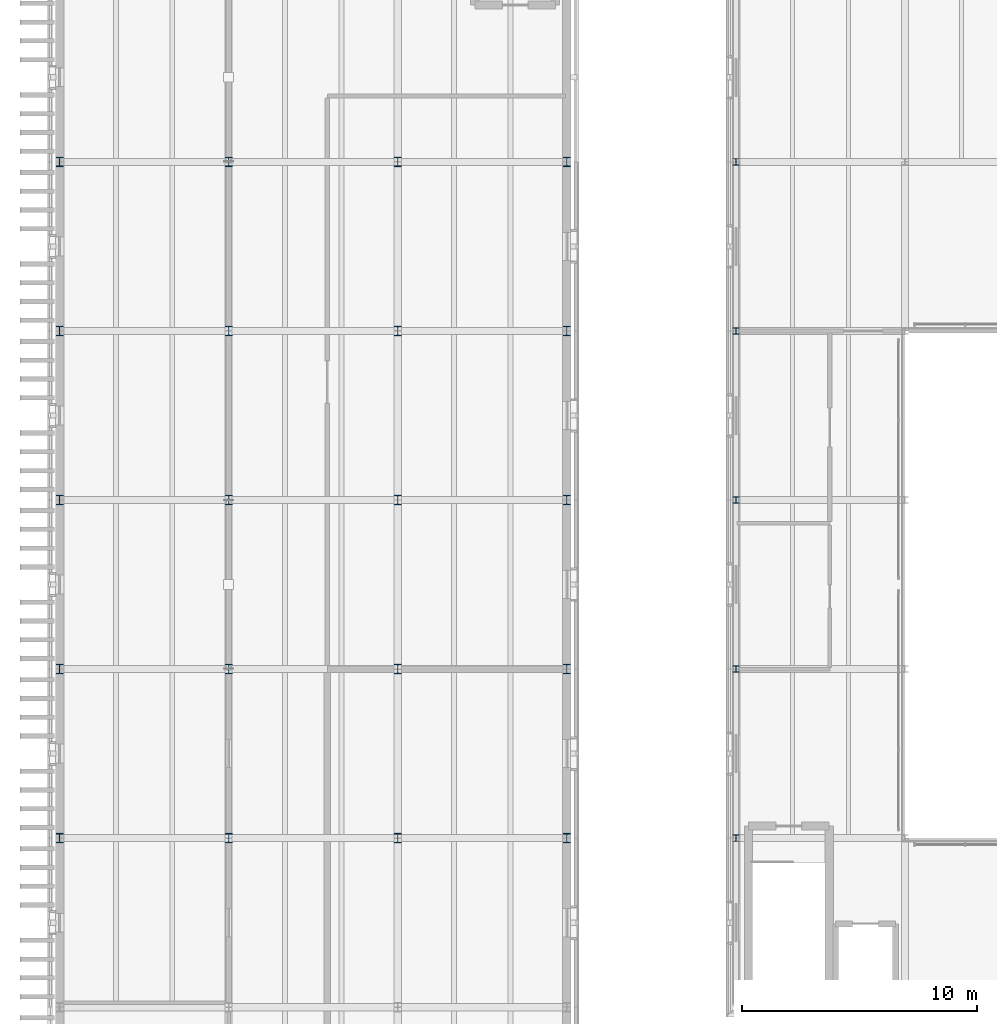
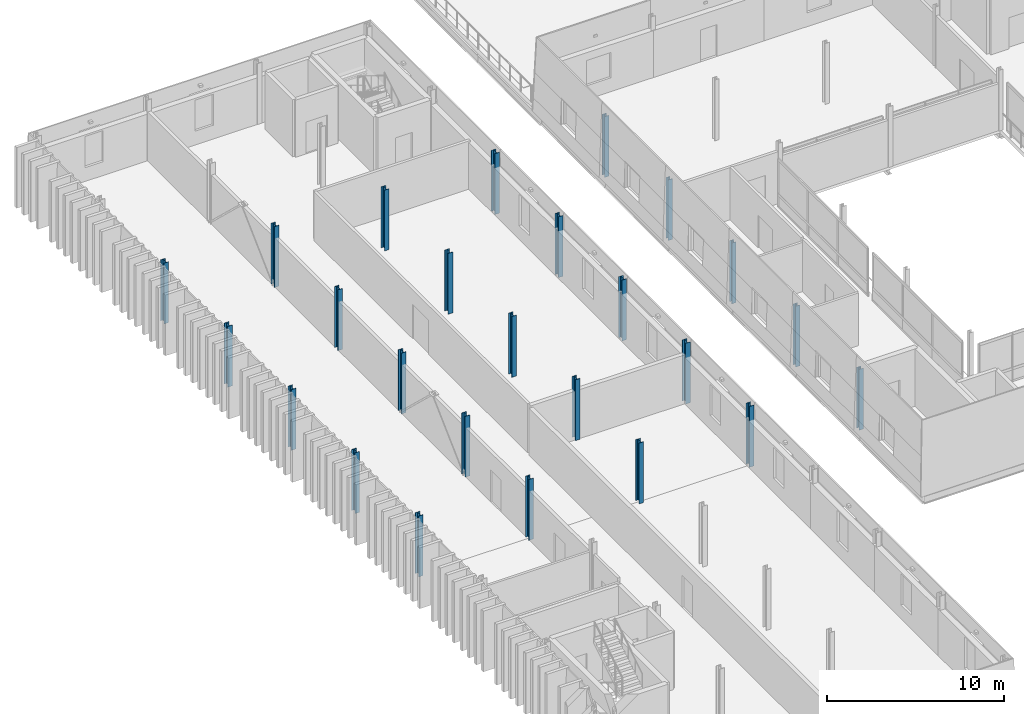
# One storey, part 3 of 66: 25 columns.
"""IFC4 building model written with IfcOpenShell, lengths in metres."""

from ifc_helpers import new_model, si_unit, direction, frame, origin, origin_2d, place, context, subcontext, project, spatial, i_section, extrude, material, material_profile, profile_set, type_object, element, save


model = new_model("IFC4")

# Units and contexts
model_context = context("Model", 3, precision=1e-05, world=origin(), true_north=direction((0.0, 1.0)))
body_context = subcontext(model_context, "Body", "Model", "MODEL_VIEW")
ifc_project = project(units=[si_unit("LENGTHUNIT", "METRE"), si_unit("AREAUNIT", "SQUARE_METRE"), si_unit("VOLUMEUNIT", "CUBIC_METRE"), si_unit("PLANEANGLEUNIT", "RADIAN"), si_unit("MASSUNIT", "GRAM", prefix="KILO")], contexts=[model_context])

# Site, building, storey
site_placement = place(None, origin())
site = spatial("IfcSite", under=ifc_project, at=site_placement, CompositionType="ELEMENT")
building_placement = place(site_placement, origin())
building = spatial("IfcBuilding", under=site, at=building_placement, Name="Narikvali Park Central Library", CompositionType="ELEMENT")
storey_placement = place(building_placement, frame((0.0, 0.0, 18.60009765625)))
storey = spatial("IfcBuildingStorey", under=building, at=storey_placement, Name="L04", CompositionType="ELEMENT", Elevation=18.60009765625)

# Columns
ifc_material = material(Name="Steel S355", Category="steel")
ifc_material_profile_1 = material_profile(ifc_material, i_section(OverallWidth=0.280029296875, OverallDepth=0.280029296875, WebThickness=0.010498046875, FlangeThickness=0.01806640625, FilletRadius=0.02392578125, at=origin_2d()), Name="HEB 280")
ifc_profile_set_1 = profile_set([ifc_material_profile_1], Name="Steel S355")
column_type_1 = type_object("IfcColumnType", Name="Steel Column HEB280", PredefinedType="COLUMN", material=ifc_profile_set_1)
for number, where, z_axis, x_axis, name in (
    (1, (28.800048828125, 64.800048828125, 0.0), (0.0, 0.0, 1.0), (1.0, 0.0, 0.0), "V4 L04 Column (28.8,64.8)"),
    (2, (28.800048828125, 72.0, 0.0), (0.0, 0.0, 1.0), (1.0, 0.0, 0.0), "V4 L04 Column (28.8,72.0)"),
    (3, (28.800048828125, 79.199951171875, 0.0), (0.0, 0.0, 1.0), (1.0, 0.0, 0.0), "V4 L04 Column (28.8,79.2)"),
    (4, (28.800048828125, 86.39990234375, 0.0), (0.0, 0.0, 1.0), (1.0, 0.0, 0.0), "V4 L04 Column (28.8,86.4)"),
    (5, (28.800048828125, 93.60009765625, 0.0), (0.0, 0.0, 1.0), (1.0, 0.0, 0.0), "V4 L04 Column (28.8,93.6)"),
):
    element("IfcColumn", number, at=place(storey_placement, frame(where, z_axis=z_axis, x_axis=x_axis)), inside=storey, type_object=column_type_1, Name=name, PredefinedType="COLUMN", context=body_context, shape_type="SweptSolid", body=[
        extrude(i_section(OverallWidth=0.280029296875, OverallDepth=0.280029296875, WebThickness=0.010498046875, FlangeThickness=0.01806640625, FilletRadius=0.02392578125, at=origin_2d()), origin(), (0.0, 0.0, 1.0), 4.199951171875),
    ])
ifc_material_profile_2 = material_profile(ifc_material, i_section(OverallWidth=0.300048828125, OverallDepth=0.39990234375, WebThickness=0.013427734375, FlangeThickness=0.02392578125, FilletRadius=0.027099609375, at=origin_2d()), Name="HEB 400")
ifc_profile_set_2 = profile_set([ifc_material_profile_2], Name="Steel S355")
column_type_2 = type_object("IfcColumnType", Name="Steel Column HEB400", PredefinedType="COLUMN", material=ifc_profile_set_2)
for number, where, z_axis, x_axis, name in (
    (6, (0.0, 64.800048828125, 0.0), (0.0, 0.0, 1.0), (1.0, 0.0, 0.0), "V5 L04 Column (0.0,64.8)"),
    (7, (0.0, 72.0, 0.0), (0.0, 0.0, 1.0), (1.0, 0.0, 0.0), "V5 L04 Column (0.0,72.0)"),
    (8, (0.0, 79.199951171875, 0.0), (0.0, 0.0, 1.0), (1.0, 0.0, 0.0), "V5 L04 Column (0.0,79.2)"),
    (9, (0.0, 86.39990234375, 0.0), (0.0, 0.0, 1.0), (1.0, 0.0, 0.0), "V5 L04 Column (0.0,86.4)"),
    (10, (0.0, 93.60009765625, 0.0), (0.0, 0.0, 1.0), (1.0, 0.0, 0.0), "V5 L04 Column (0.0,93.6)"),
    (11, (7.199951171875, 64.800048828125, 0.0), (0.0, 0.0, 1.0), (1.0, 0.0, 0.0), "V5 L04 Column (7.2,64.8)"),
    (12, (7.199951171875, 72.0, 0.0), (0.0, 0.0, 1.0), (1.0, 0.0, 0.0), "V5 L04 Column (7.2,72.0)"),
    (13, (7.199951171875, 79.199951171875, 0.0), (0.0, 0.0, 1.0), (1.0, 0.0, 0.0), "V5 L04 Column (7.2,79.2)"),
    (14, (7.199951171875, 86.39990234375, 0.0), (0.0, 0.0, 1.0), (1.0, 0.0, 0.0), "V5 L04 Column (7.2,86.4)"),
    (15, (7.199951171875, 93.60009765625, 0.0), (0.0, 0.0, 1.0), (1.0, 0.0, 0.0), "V5 L04 Column (7.2,93.6)"),
    (16, (14.39990234375, 64.800048828125, 0.0), (0.0, 0.0, 1.0), (1.0, 0.0, 0.0), "V5 L04 Column (14.4,64.8)"),
    (17, (14.39990234375, 72.0, 0.0), (0.0, 0.0, 1.0), (1.0, 0.0, 0.0), "V5 L04 Column (14.4,72.0)"),
    (18, (14.39990234375, 79.199951171875, 0.0), (0.0, 0.0, 1.0), (1.0, 0.0, 0.0), "V5 L04 Column (14.4,79.2)"),
    (19, (14.39990234375, 86.39990234375, 0.0), (0.0, 0.0, 1.0), (1.0, 0.0, 0.0), "V5 L04 Column (14.4,86.4)"),
    (20, (14.39990234375, 93.60009765625, 0.0), (0.0, 0.0, 1.0), (1.0, 0.0, 0.0), "V5 L04 Column (14.4,93.6)"),
    (21, (21.60009765625, 64.800048828125, 0.0), (0.0, 0.0, 1.0), (1.0, 0.0, 0.0), "V5 L04 Column (21.6,64.8)"),
    (22, (21.60009765625, 72.0, 0.0), (0.0, 0.0, 1.0), (1.0, 0.0, 0.0), "V5 L04 Column (21.6,72.0)"),
    (23, (21.60009765625, 79.199951171875, 0.0), (0.0, 0.0, 1.0), (1.0, 0.0, 0.0), "V5 L04 Column (21.6,79.2)"),
    (24, (21.60009765625, 86.39990234375, 0.0), (0.0, 0.0, 1.0), (1.0, 0.0, 0.0), "V5 L04 Column (21.6,86.4)"),
    (25, (21.60009765625, 93.60009765625, 0.0), (0.0, 0.0, 1.0), (1.0, 0.0, 0.0), "V5 L04 Column (21.6,93.6)"),
):
    element("IfcColumn", number, at=place(storey_placement, frame(where, z_axis=z_axis, x_axis=x_axis)), inside=storey, type_object=column_type_2, Name=name, PredefinedType="COLUMN", context=body_context, shape_type="SweptSolid", body=[
        extrude(i_section(OverallWidth=0.300048828125, OverallDepth=0.39990234375, WebThickness=0.013427734375, FlangeThickness=0.02392578125, FilletRadius=0.027099609375, at=origin_2d()), origin(), (0.0, 0.0, 1.0), 4.199951171875),
    ])

save(model, "model.ifc")
